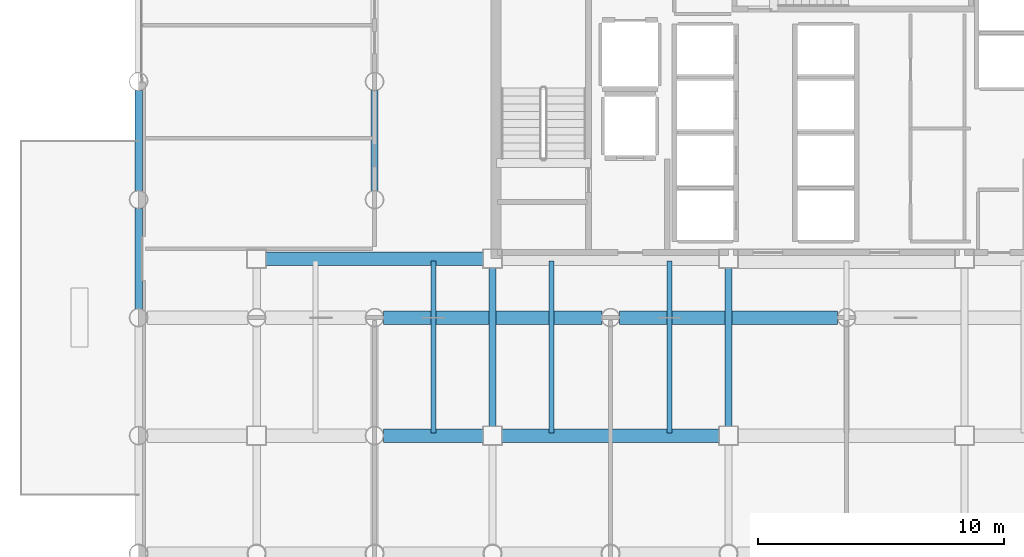
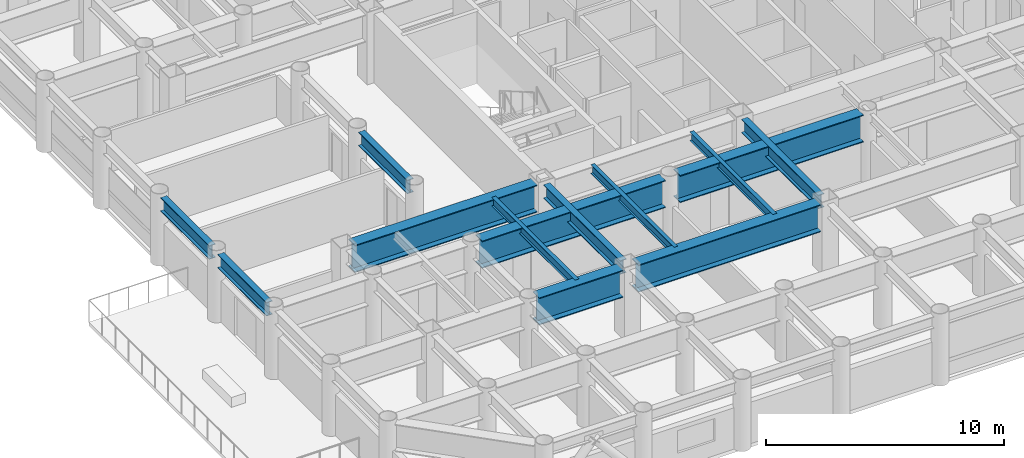
# One storey, part 3 of 22: 13 beams.
"""IFC4 building model written with IfcOpenShell, lengths in metres."""

from ifc_helpers import new_model, si_unit, direction, frame, origin, origin_2d, place, context, subcontext, project, spatial, i_section, extrude, material, material_profile, profile_set, type_object, element, save


model = new_model("IFC4")

# Units and contexts
model_context = context("Model", 3, precision=1e-05, world=origin(), true_north=direction((0.0, 1.0)))
body_context = subcontext(model_context, "Body", "Model", "MODEL_VIEW")
ifc_project = project(units=[si_unit("LENGTHUNIT", "METRE"), si_unit("AREAUNIT", "SQUARE_METRE"), si_unit("VOLUMEUNIT", "CUBIC_METRE"), si_unit("PLANEANGLEUNIT", "RADIAN"), si_unit("MASSUNIT", "GRAM", prefix="KILO")], contexts=[model_context])

# Site, building, storey
site_placement = place(None, origin())
site = spatial("IfcSite", under=ifc_project, at=site_placement, CompositionType="ELEMENT")
building_placement = place(site_placement, origin())
building = spatial("IfcBuilding", under=site, at=building_placement, Name="Kallvorn Hotel Tower", CompositionType="ELEMENT")
storey_placement = place(building_placement, frame((0.0, 0.0, 59.60009765625)))
storey = spatial("IfcBuildingStorey", under=building, at=storey_placement, Name="L13", CompositionType="ELEMENT", Elevation=59.60009765625)

# Beams
ifc_material_1 = material(Name="Structural steel S355JR", Category="steel")
ifc_material_profile_1 = material_profile(ifc_material_1, i_section(OverallWidth=0.300048828125, OverallDepth=0.699951171875, WebThickness=0.01708984375, FlangeThickness=0.031982421875, at=origin_2d()), Name="HE 700 B")
ifc_profile_set_1 = profile_set([ifc_material_profile_1], Name="Structural steel S355JR")
beam_type_1 = type_object("IfcBeamType", Name="BM_HE700B", PredefinedType="BEAM", material=ifc_profile_set_1)
beam_1_placement = place(storey_placement, frame((-28.800048828125, -9.243896484375, 3.169921875), z_axis=(0.0, 1.0, 0.0), x_axis=(-1.0, 0.0, 0.0)))
element("IfcBeam", 1, at=beam_1_placement, inside=storey, type_object=beam_type_1, Name="L14 Primary Y-Girder 75", PredefinedType="BEAM", context=body_context, shape_type="SweptSolid", body=[
    extrude(i_section(OverallWidth=0.300048828125, OverallDepth=0.699951171875, WebThickness=0.01708984375, FlangeThickness=0.031982421875, at=origin_2d()), origin(), (0.0, 0.0, 1.0), 4.087890625),
])
for number, where, z_axis, x_axis, name in (
    (2, (-28.800048828125, -4.444091796875, 3.169921875), (0.0, 1.0, 0.0), (-1.0, 0.0, 0.0), "L14 Primary Y-Girder 76"),
    (3, (-19.199951171875, -4.444091796875, 3.169921875), (0.0, 1.0, 0.0), (-1.0, 0.0, 0.0), "L14 Primary Y-Girder 92"),
):
    element("IfcBeam", number, at=place(storey_placement, frame(where, z_axis=z_axis, x_axis=x_axis)), inside=storey, type_object=beam_type_1, Name=name, PredefinedType="BEAM", context=body_context, shape_type="SweptSolid", body=[
        extrude(i_section(OverallWidth=0.300048828125, OverallDepth=0.699951171875, WebThickness=0.01708984375, FlangeThickness=0.031982421875, at=origin_2d()), origin(), (0.0, 0.0, 1.0), 4.088134765625),
    ])
for number, where, z_axis, x_axis, name in (
    (4, (-14.39990234375, -14.02490234375, 3.169921875), (0.0, 1.0, 0.0), (-1.0, 0.0, 0.0), "L14 Primary Y-Girder 99"),
    (5, (-4.800048828125, -14.02490234375, 3.169921875), (0.0, 1.0, 0.0), (-1.0, 0.0, 0.0), "L14 Primary Y-Girder 107"),
):
    element("IfcBeam", number, at=place(storey_placement, frame(where, z_axis=z_axis, x_axis=x_axis)), inside=storey, type_object=beam_type_1, Name=name, PredefinedType="BEAM", context=body_context, shape_type="SweptSolid", body=[
        extrude(i_section(OverallWidth=0.300048828125, OverallDepth=0.699951171875, WebThickness=0.01708984375, FlangeThickness=0.031982421875, at=origin_2d()), origin(), (0.0, 0.0, 1.0), 6.449951171875),
    ])
ifc_material_2 = material(Name="Structural steel S355JR", Category="steel")
ifc_material_profile_2 = material_profile(ifc_material_2, i_section(OverallWidth=0.18994140625, OverallDepth=0.449951171875, WebThickness=0.009521484375, FlangeThickness=0.0146484375, at=origin_2d()), Name="IPE 450")
ifc_profile_set_2 = profile_set([ifc_material_profile_2], Name="Structural steel S355JR")
beam_type_2 = type_object("IfcBeamType", Name="BM_IPE450", PredefinedType="JOIST", material=ifc_profile_set_2)
for number, where, z_axis, x_axis, name in (
    (6, (-16.800048828125, -14.300048828125, 3.294921875), (0.0, 1.0, 0.0), (-1.0, 0.0, 0.0), "L14 Secondary Composite Joist 194"),
    (7, (-12.0, -14.300048828125, 3.294921875), (0.0, 1.0, 0.0), (-1.0, 0.0, 0.0), "L14 Secondary Composite Joist 196"),
    (8, (-7.199951171875, -14.300048828125, 3.294921875), (0.0, 1.0, 0.0), (-1.0, 0.0, 0.0), "L14 Secondary Composite Joist 198"),
):
    element("IfcBeam", number, at=place(storey_placement, frame(where, z_axis=z_axis, x_axis=x_axis)), inside=storey, type_object=beam_type_2, Name=name, PredefinedType="JOIST", context=body_context, shape_type="SweptSolid", body=[
        extrude(i_section(OverallWidth=0.18994140625, OverallDepth=0.449951171875, WebThickness=0.009521484375, FlangeThickness=0.0146484375, at=origin_2d()), origin(), (0.0, 0.0, 1.0), 7.0),
    ])
ifc_material_3 = material(Name="Structural steel S355JR", Category="steel")
ifc_material_profile_3 = material_profile(ifc_material_3, i_section(OverallWidth=0.550048828125, OverallDepth=1.39990234375, WebThickness=0.02490234375, FlangeThickness=0.044921875, at=origin_2d()), Name="PG 1400x550x25x45")
ifc_profile_set_3 = profile_set([ifc_material_profile_3], Name="Structural steel S355JR")
beam_type_3 = type_object("IfcBeamType", Name="BM_PG_1400", PredefinedType="BEAM", material=ifc_profile_set_3)
beam_2_placement = place(storey_placement, frame((-18.843994140625, -14.39990234375, 2.81982421875), z_axis=(1.0, 0.0, 0.0), x_axis=(0.0, 1.0, 0.0)))
element("IfcBeam", 9, at=beam_2_placement, inside=storey, type_object=beam_type_3, Name="L14 Primary X-Girder 16", PredefinedType="BEAM", context=body_context, shape_type="SweptSolid", body=[
    extrude(i_section(OverallWidth=0.550048828125, OverallDepth=1.39990234375, WebThickness=0.02490234375, FlangeThickness=0.044921875, at=origin_2d()), origin(), (0.0, 0.0, 1.0), 4.069091796875),
])
beam_3_placement = place(storey_placement, frame((-14.02490234375, -14.39990234375, 2.81982421875), z_axis=(1.0, 0.0, 0.0), x_axis=(0.0, 1.0, 0.0)))
element("IfcBeam", 10, at=beam_3_placement, inside=storey, type_object=beam_type_3, Name="L14 Primary X-Girder 17", PredefinedType="BEAM", context=body_context, shape_type="SweptSolid", body=[
    extrude(i_section(OverallWidth=0.550048828125, OverallDepth=1.39990234375, WebThickness=0.02490234375, FlangeThickness=0.044921875, at=origin_2d()), origin(), (0.0, 0.0, 1.0), 8.849853515625),
])
for number, where, z_axis, x_axis, name in (
    (11, (-18.843994140625, -9.60009765625, 2.81982421875), (1.0, 0.0, 0.0), (0.0, 1.0, 0.0), "L14 Primary X-Girder 26"),
    (12, (-9.243896484375, -9.60009765625, 2.81982421875), (1.0, 0.0, 0.0), (0.0, 1.0, 0.0), "L14 Primary X-Girder 27"),
):
    element("IfcBeam", number, at=place(storey_placement, frame(where, z_axis=z_axis, x_axis=x_axis)), inside=storey, type_object=beam_type_3, Name=name, PredefinedType="BEAM", context=body_context, shape_type="SweptSolid", body=[
        extrude(i_section(OverallWidth=0.550048828125, OverallDepth=1.39990234375, WebThickness=0.02490234375, FlangeThickness=0.044921875, at=origin_2d()), origin(), (0.0, 0.0, 1.0), 8.887939453125),
    ])
beam_4_placement = place(storey_placement, frame((-23.625, -7.199951171875, 2.81982421875), z_axis=(1.0, 0.0, 0.0), x_axis=(0.0, 1.0, 0.0)))
element("IfcBeam", 13, at=beam_4_placement, inside=storey, type_object=beam_type_3, Name="L14 Primary X-Girder 33", PredefinedType="BEAM", context=body_context, shape_type="SweptSolid", body=[
    extrude(i_section(OverallWidth=0.550048828125, OverallDepth=1.39990234375, WebThickness=0.02490234375, FlangeThickness=0.044921875, at=origin_2d()), origin(), (0.0, 0.0, 1.0), 8.85009765625),
])

save(model, "model.ifc")
